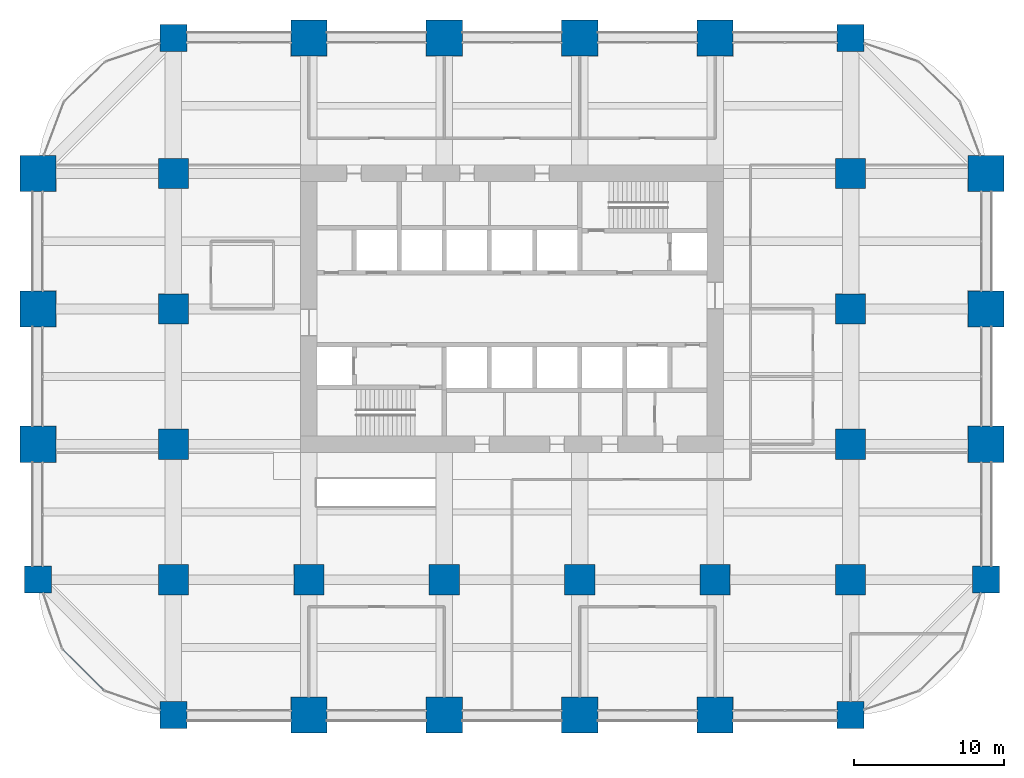
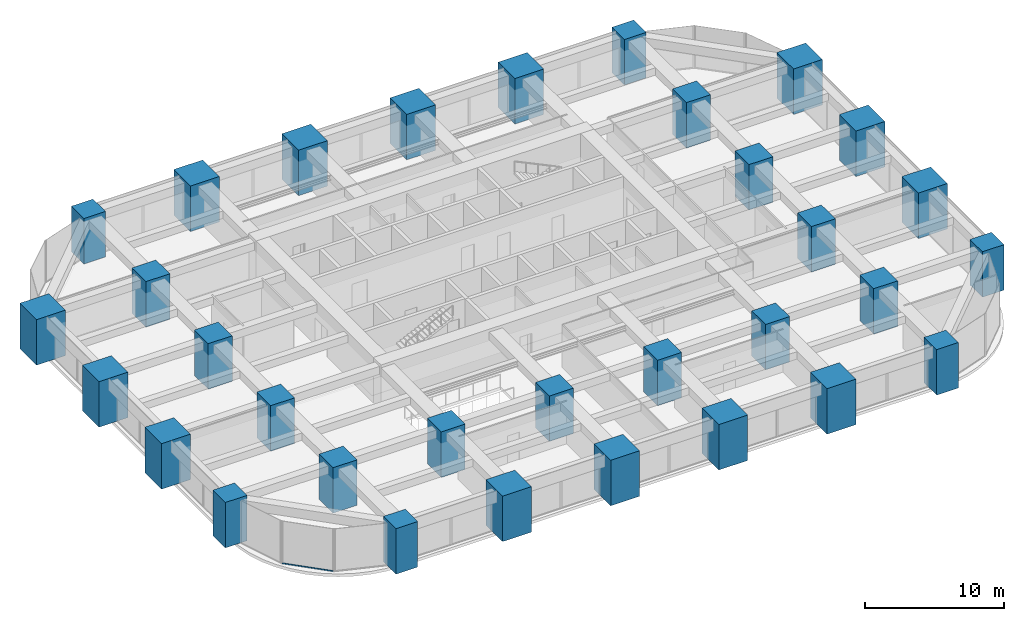
# One storey, part 1 of 39: 32 columns, 1 member, 1 element without a shape of its own.
"""IFC4 building model written with IfcOpenShell, lengths in metres."""

import ifcopenshell
import ifcopenshell.guid

model = None  # the IFC model being written
_history = None  # IfcOwnerHistory: only IFC2X3 demands one
_inside = {}  # id of a spatial element -> (the spatial element, [elements in it])
_under = {}  # id of a project, library or spatial element -> (it, [spatial elements below it])
_declared = {}  # id of a project -> (the project, [libraries it declares])
_typed = {}  # id of a type object -> (the type object, [elements of that type])
_made_of = {}  # id of a material, layer set ... -> (it, [elements and type objects made of it])


def new_model(schema):
    """Start an empty IFC model of exactly this schema.

    Asked for "IFC4X3", IfcOpenShell would pick the latest addendum, in which some entities
    have other attributes; the version numbers below select the first issue.
    IFC2X3 requires an IfcOwnerHistory on every rooted entity: one is made here for all.
    """
    global model, _history
    if schema == "IFC4X3":
        model = ifcopenshell.file(schema_version=(4, 3, 0, 0))
    else:
        model = ifcopenshell.file(schema=schema)
    _inside.clear()
    _under.clear()
    _declared.clear()
    _typed.clear()
    _made_of.clear()
    _history = None
    if model.schema == "IFC2X3":
        org = make("IfcOrganization", Name="unknown")
        user = make(
            "IfcPersonAndOrganization",
            ThePerson=make("IfcPerson", FamilyName="unknown"),
            TheOrganization=org,
        )
        app = make(
            "IfcApplication",
            ApplicationDeveloper=org,
            Version="unknown",
            ApplicationFullName="unknown",
            ApplicationIdentifier="unknown",
        )
        _history = make(
            "IfcOwnerHistory",
            OwningUser=user,
            OwningApplication=app,
            ChangeAction="ADDED",
            CreationDate=0,
        )
    return model


def make(cls, **values):
    """One entity of the class cls with the attributes given. An attribute that is None is left unset."""
    return model.create_entity(
        cls, **{name: value for name, value in values.items() if value is not None}
    )


def rooted(cls, **values):
    """An entity with a GlobalId (a new one), such as an element, a storey or a relation."""
    return make(cls, GlobalId=ifcopenshell.guid.new(), OwnerHistory=_history, **values)


def si_unit(unit_type, name, prefix=None):
    """IfcSIUnit, for example si_unit("LENGTHUNIT", "METRE", prefix="MILLI")."""
    return make("IfcSIUnit", UnitType=unit_type, Prefix=prefix, Name=name)


def assignment(units):
    """IfcUnitAssignment: the units of a project."""
    return None if units is None else make("IfcUnitAssignment", Units=units)


def point(xyz):
    """IfcCartesianPoint."""
    return None if xyz is None else make("IfcCartesianPoint", Coordinates=xyz)


def direction(xyz):
    """IfcDirection."""
    return None if xyz is None else make("IfcDirection", DirectionRatios=xyz)


def frame(location, z_axis=None, x_axis=None):
    """IfcAxis2Placement3D, a coordinate frame: its origin and axes. An axis left out is left unset."""
    return make(
        "IfcAxis2Placement3D",
        Location=point(location),
        Axis=direction(z_axis),
        RefDirection=direction(x_axis),
    )


def frame_2d(location, x_axis=None):
    """IfcAxis2Placement2D, a coordinate frame in the plane: its origin and x axis."""
    return make(
        "IfcAxis2Placement2D", Location=point(location), RefDirection=direction(x_axis)
    )


def origin():
    """The frame at (0, 0, 0) with its axes left unset."""
    return frame((0.0, 0.0, 0.0))


def origin_2d():
    """The frame at (0, 0) in the plane with its x axis left unset."""
    return frame_2d((0.0, 0.0))


def place(relative_to, where):
    """IfcLocalPlacement: puts the frame where relative to a parent placement (None: the world)."""
    return make(
        "IfcLocalPlacement", PlacementRelTo=relative_to, RelativePlacement=where
    )


def context(
    kind, dimensions, precision=None, world=None, true_north=None, identifier=None
):
    """IfcGeometricRepresentationContext, for example the 3D "Model" context."""
    return make(
        "IfcGeometricRepresentationContext",
        ContextIdentifier=identifier,
        ContextType=kind,
        CoordinateSpaceDimension=dimensions,
        Precision=precision,
        WorldCoordinateSystem=world,
        TrueNorth=true_north,
    )


def subcontext(parent, identifier, kind, view, scale=None):
    """IfcGeometricRepresentationSubContext, for example "Body" below "Model"."""
    return make(
        "IfcGeometricRepresentationSubContext",
        ContextIdentifier=identifier,
        ContextType=kind,
        ParentContext=parent,
        TargetScale=scale,
        TargetView=view,
    )


def project(units=None, contexts=None):
    """IfcProject with its units and contexts."""
    return rooted(
        "IfcProject",
        Name="project",
        RepresentationContexts=contexts,
        UnitsInContext=assignment(units),
    )


def spatial(cls, under=None, at=None, **own):
    """A site, building, storey or space (cls), placed at a placement, below another one or the project."""
    s = rooted(cls, ObjectPlacement=at, **own)
    if under is not None:
        _under.setdefault(under.id(), (under, []))[1].append(s)
    return s


def profile(cls, at=None, kind="AREA", **sizes):
    """A parametric profile (cls). Its sizes go by their IFC names, for example OverallWidth=200.0."""
    return make(cls, ProfileType=kind, Position=at, **sizes)


def rectangle(**sizes):
    """IfcRectangleProfileDef."""
    return profile("IfcRectangleProfileDef", **sizes)


def hollow_rectangle(**sizes):
    """IfcRectangleHollowProfileDef."""
    return profile("IfcRectangleHollowProfileDef", **sizes)


def extrude(swept, where, along, depth):
    """IfcExtrudedAreaSolid: the profile swept, set in the frame where, extruded along a direction by depth."""
    return make(
        "IfcExtrudedAreaSolid",
        SweptArea=swept,
        Position=where,
        ExtrudedDirection=direction(along),
        Depth=depth,
    )


def shape(context_of_items, identifier, shape_type, items):
    """IfcShapeRepresentation: the items that make up one representation, for example the "Body"."""
    return make(
        "IfcShapeRepresentation",
        ContextOfItems=context_of_items,
        RepresentationIdentifier=identifier,
        RepresentationType=shape_type,
        Items=items,
    )


def material(Name=None, Category=None):
    """IfcMaterial."""
    return make("IfcMaterial", Name=Name, Category=Category)


def material_profile(
    of_material, cross_section, Name=None, Category=None, Priority=None
):
    """IfcMaterialProfile: a cross section and its material."""
    return make(
        "IfcMaterialProfile",
        Name=Name,
        Material=of_material,
        Profile=cross_section,
        Priority=Priority,
        Category=Category,
    )


def profile_set(profiles, Name=None, composite=None):
    """IfcMaterialProfileSet."""
    return make(
        "IfcMaterialProfileSet",
        Name=Name,
        MaterialProfiles=profiles,
        CompositeProfile=composite,
    )


def made_of(thing, what):
    """Note that an element or type object is made of a material, layer set ...; save() writes the relation."""
    if what is not None:
        _made_of.setdefault(what.id(), (what, []))[1].append(thing)
    return thing


def type_object(cls, material=None, **own):
    """A type object (cls), such as IfcWallType, which elements share."""
    return made_of(rooted(cls, **own), material)


def element(
    cls,
    number,
    at=None,
    inside=None,
    cuts=None,
    type_object=None,
    material=None,
    context=None,
    identifier="Body",
    shape_type=None,
    held_by="IfcProductDefinitionShape",
    body=None,
    shapes=None,
    **own,
):
    """One element of the class cls, such as IfcWall. Its Tag is "e" and its number.

    at: its placement. inside: the storey or other place that contains it. cuts: it is an
    opening in that element (IfcRelVoidsElement). A single representation is given by context,
    identifier, shape_type and body (its items); several are given by shapes. held_by: the class
    of the entity that holds the representations. save() writes the other relations.
    """
    e = rooted(cls, Tag="e%d" % number, ObjectPlacement=at, **own)
    if body is not None:
        shapes = [shape(context, identifier, shape_type, body)]
    if shapes is not None:
        e.Representation = make(held_by, Representations=shapes)
    if inside is not None:
        _inside.setdefault(inside.id(), (inside, []))[1].append(e)
    if cuts is not None:
        rooted(
            "IfcRelVoidsElement", RelatingBuildingElement=cuts, RelatedOpeningElement=e
        )
    if type_object is not None:
        _typed.setdefault(type_object.id(), (type_object, []))[1].append(e)
    return made_of(e, material)


def aggregate(whole, parts):
    """IfcRelAggregates: a whole, such as a stair, and the parts it consists of."""
    return rooted("IfcRelAggregates", RelatingObject=whole, RelatedObjects=parts)


def save(model, path):
    """Write the relations noted so far, then the file.

    IfcRelAggregates (storeys below a building ...), IfcRelContainedInSpatialStructure (elements
    in a storey), IfcRelDefinesByType, IfcRelAssociatesMaterial and IfcRelDeclares: one each for
    every whole, place, type object, material and project.
    """
    for whole, parts in _under.values():
        aggregate(whole, parts)
    for where, things in _inside.values():
        rooted(
            "IfcRelContainedInSpatialStructure",
            RelatedElements=things,
            RelatingStructure=where,
        )
    for kind, things in _typed.values():
        rooted("IfcRelDefinesByType", RelatedObjects=things, RelatingType=kind)
    for what, things in _made_of.values():
        rooted("IfcRelAssociatesMaterial", RelatedObjects=things, RelatingMaterial=what)
    for by, libraries in _declared.values():
        rooted("IfcRelDeclares", RelatingContext=by, RelatedDefinitions=libraries)
    model.write(path)


model = new_model("IFC4")

# Units and contexts
model_context = context("Model", 3, precision=1e-05, world=origin(), true_north=direction((0.0, 1.0)))
body_context = subcontext(model_context, "Body", "Model", "MODEL_VIEW")
ifc_project = project(units=[si_unit("LENGTHUNIT", "METRE"), si_unit("AREAUNIT", "SQUARE_METRE"), si_unit("VOLUMEUNIT", "CUBIC_METRE"), si_unit("PLANEANGLEUNIT", "RADIAN"), si_unit("MASSUNIT", "GRAM", prefix="KILO")], contexts=[model_context])

# Site, building, storey
site_placement = place(None, origin())
site = spatial("IfcSite", under=ifc_project, at=site_placement, CompositionType="ELEMENT")
building_placement = place(site_placement, origin())
building = spatial("IfcBuilding", under=site, at=building_placement, Name="Zorevar Civic Tower", CompositionType="ELEMENT")
storey_placement = place(building_placement, frame((0.0, 0.0, 121.0)))
storey = spatial("IfcBuildingStorey", under=building, at=storey_placement, Name="L29", CompositionType="ELEMENT", Elevation=121.0)

# Columns
ifc_material_1 = material(Name="Concrete C50/60", Category="concrete")
ifc_material_profile_1 = material_profile(ifc_material_1, rectangle(XDim=1.800048828125, YDim=1.800048828125, at=origin_2d()), Name="RC 1800x1800")
ifc_profile_set_1 = profile_set([ifc_material_profile_1], Name="Concrete C50/60")
column_type_1 = type_object("IfcColumnType", Name="Column RC 1800x1800", PredefinedType="COLUMN", material=ifc_profile_set_1)
for number, where, z_axis, x_axis, name in (
    (1, (0.0, 9.0, 0.0), (0.0, 0.0, 1.0), (1.0, 0.0, 0.0), "Column 2B L29"),
    (2, (9.0, 0.0, 0.0), (0.0, 0.0, 1.0), (1.0, 0.0, 0.0), "Column 3A L29"),
    (3, (9.0, 45.0, 0.0), (0.0, 0.0, 1.0), (1.0, 0.0, 0.0), "Column 3F L29"),
    (4, (54.0, 0.0, 0.0), (0.0, 0.0, 1.0), (1.0, 0.0, 0.0), "Column 8A L29"),
    (5, (54.0, 45.0, 0.0), (0.0, 0.0, 1.0), (1.0, 0.0, 0.0), "Column 8F L29"),
    (6, (63.0, 9.0, 0.0), (0.0, 0.0, 1.0), (1.0, 0.0, 0.0), "Column 9B L29"),
):
    element("IfcColumn", number, at=place(storey_placement, frame(where, z_axis=z_axis, x_axis=x_axis)), inside=storey, type_object=column_type_1, Name=name, PredefinedType="COLUMN", context=body_context, shape_type="SweptSolid", body=[
        extrude(rectangle(XDim=1.800048828125, YDim=1.800048828125, at=origin_2d()), origin(), (0.0, 0.0, 1.0), 4.0),
    ])
ifc_material_2 = material(Name="Concrete C50/60", Category="concrete")
ifc_material_profile_2 = material_profile(ifc_material_2, rectangle(XDim=2.0, YDim=2.0, at=origin_2d()), Name="RC 2000x2000")
ifc_profile_set_2 = profile_set([ifc_material_profile_2], Name="Concrete C50/60")
column_type_2 = type_object("IfcColumnType", Name="Column RC 2000x2000", PredefinedType="COLUMN", material=ifc_profile_set_2)
for number, where, z_axis, x_axis, name in (
    (7, (9.0, 9.0, 0.0), (0.0, 0.0, 1.0), (1.0, 0.0, 0.0), "Column 3B L29"),
    (8, (9.0, 18.0, 0.0), (0.0, 0.0, 1.0), (1.0, 0.0, 0.0), "Column 3C L29"),
    (9, (9.0, 27.0, 0.0), (0.0, 0.0, 1.0), (1.0, 0.0, 0.0), "Column 3D L29"),
    (10, (9.0, 36.0, 0.0), (0.0, 0.0, 1.0), (1.0, 0.0, 0.0), "Column 3E L29"),
    (11, (18.0, 9.0, 0.0), (0.0, 0.0, 1.0), (1.0, 0.0, 0.0), "Column 4B L29"),
    (12, (27.0, 9.0, 0.0), (0.0, 0.0, 1.0), (1.0, 0.0, 0.0), "Column 5B L29"),
    (13, (36.0, 9.0, 0.0), (0.0, 0.0, 1.0), (1.0, 0.0, 0.0), "Column 6B L29"),
    (14, (45.0, 9.0, 0.0), (0.0, 0.0, 1.0), (1.0, 0.0, 0.0), "Column 7B L29"),
    (15, (54.0, 9.0, 0.0), (0.0, 0.0, 1.0), (1.0, 0.0, 0.0), "Column 8B L29"),
    (16, (54.0, 18.0, 0.0), (0.0, 0.0, 1.0), (1.0, 0.0, 0.0), "Column 8C L29"),
    (17, (54.0, 27.0, 0.0), (0.0, 0.0, 1.0), (1.0, 0.0, 0.0), "Column 8D L29"),
    (18, (54.0, 36.0, 0.0), (0.0, 0.0, 1.0), (1.0, 0.0, 0.0), "Column 8E L29"),
):
    element("IfcColumn", number, at=place(storey_placement, frame(where, z_axis=z_axis, x_axis=x_axis)), inside=storey, type_object=column_type_2, Name=name, PredefinedType="COLUMN", context=body_context, shape_type="SweptSolid", body=[
        extrude(rectangle(XDim=2.0, YDim=2.0, at=origin_2d()), origin(), (0.0, 0.0, 1.0), 4.0),
    ])
ifc_material_3 = material(Name="Concrete C50/60", Category="concrete")
ifc_material_profile_3 = material_profile(ifc_material_3, rectangle(XDim=2.39990234375, YDim=2.39990234375, at=origin_2d()), Name="RC 2400x2400")
ifc_profile_set_3 = profile_set([ifc_material_profile_3], Name="Concrete C50/60")
column_type_3 = type_object("IfcColumnType", Name="Mega column RC 2400x2400", PredefinedType="COLUMN", material=ifc_profile_set_3)
for number, where, z_axis, x_axis, name in (
    (19, (0.0, 18.0, 0.0), (0.0, 0.0, 1.0), (1.0, 0.0, 0.0), "Column 2C L29"),
    (20, (0.0, 27.0, 0.0), (0.0, 0.0, 1.0), (1.0, 0.0, 0.0), "Column 2D L29"),
    (21, (0.0, 36.0, 0.0), (0.0, 0.0, 1.0), (1.0, 0.0, 0.0), "Column 2E L29"),
    (22, (18.0, 0.0, 0.0), (0.0, 0.0, 1.0), (1.0, 0.0, 0.0), "Column 4A L29"),
    (23, (18.0, 45.0, 0.0), (0.0, 0.0, 1.0), (1.0, 0.0, 0.0), "Column 4F L29"),
    (24, (27.0, 0.0, 0.0), (0.0, 0.0, 1.0), (1.0, 0.0, 0.0), "Column 5A L29"),
    (25, (27.0, 45.0, 0.0), (0.0, 0.0, 1.0), (1.0, 0.0, 0.0), "Column 5F L29"),
    (26, (36.0, 0.0, 0.0), (0.0, 0.0, 1.0), (1.0, 0.0, 0.0), "Column 6A L29"),
    (27, (36.0, 45.0, 0.0), (0.0, 0.0, 1.0), (1.0, 0.0, 0.0), "Column 6F L29"),
    (28, (45.0, 0.0, 0.0), (0.0, 0.0, 1.0), (1.0, 0.0, 0.0), "Column 7A L29"),
    (29, (45.0, 45.0, 0.0), (0.0, 0.0, 1.0), (1.0, 0.0, 0.0), "Column 7F L29"),
    (30, (63.0, 18.0, 0.0), (0.0, 0.0, 1.0), (1.0, 0.0, 0.0), "Column 9C L29"),
    (31, (63.0, 27.0, 0.0), (0.0, 0.0, 1.0), (1.0, 0.0, 0.0), "Column 9D L29"),
    (32, (63.0, 36.0, 0.0), (0.0, 0.0, 1.0), (1.0, 0.0, 0.0), "Column 9E L29"),
):
    element("IfcColumn", number, at=place(storey_placement, frame(where, z_axis=z_axis, x_axis=x_axis)), inside=storey, type_object=column_type_3, Name=name, PredefinedType="COLUMN", context=body_context, shape_type="SweptSolid", body=[
        extrude(rectangle(XDim=2.39990234375, YDim=2.39990234375, at=origin_2d()), origin(), (0.0, 0.0, 1.0), 4.0),
    ])

# Curtain wall, member
ifc_material_4 = material(Name="Dark grey solar-control glass in black aluminium frame", Category="aluminium")
curtain_wall_type = type_object("IfcCurtainWallType", Name="Curtain wall CW3 mid zone", PredefinedType="NOTDEFINED", material=ifc_material_4)
curtain_wall_placement = place(storey_placement, origin())
curtain_wall = element("IfcCurtainWall", 33, at=curtain_wall_placement, inside=storey, type_object=curtain_wall_type, Name="CW3 L29", PredefinedType="NOTDEFINED")
ifc_material_5 = material(Name="Aluminium, black anodised", Category="aluminium")
ifc_material_profile_4 = material_profile(ifc_material_5, hollow_rectangle(XDim=0.06005859375, YDim=0.1201171875, WallThickness=0.0029296875, at=origin_2d()), Name="AL 120x60x3")
ifc_profile_set_4 = profile_set([ifc_material_profile_4], Name="Aluminium, black anodised")
member_type = type_object("IfcMemberType", Name="CW3 transom AL 120x60x3", PredefinedType="USERDEFINED", material=ifc_profile_set_4)
member_placement = place(storey_placement, frame((1.662841796875, 4.349853515625, 0.030029296875), z_axis=(0.707106781187, -0.707106781187, 0.0), x_axis=(0.707106781187, 0.707106781187, 0.0)))
member = element("IfcMember", 34, at=member_placement, type_object=member_type, Name="CW3 sill transom", ObjectType="TRANSOM", PredefinedType="USERDEFINED", context=body_context, shape_type="SweptSolid", body=[
    extrude(hollow_rectangle(XDim=0.06005859375, YDim=0.1201171875, WallThickness=0.0029296875, at=origin_2d()), origin(), (0.0, 0.0, 1.0), 3.800048828125),
])
aggregate(curtain_wall, [member])

save(model, "model.ifc")
